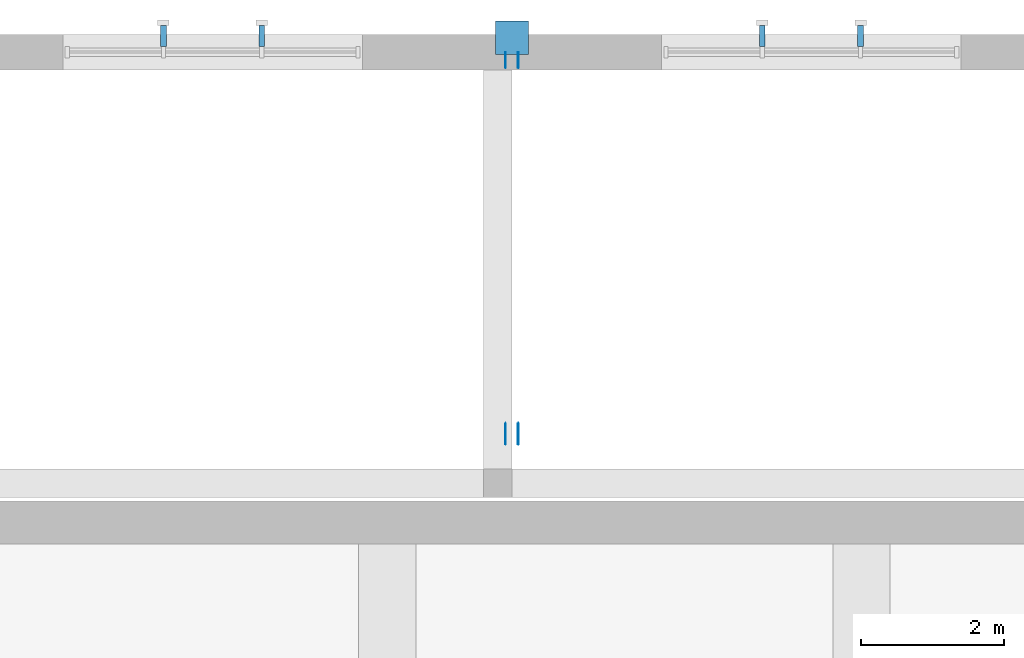
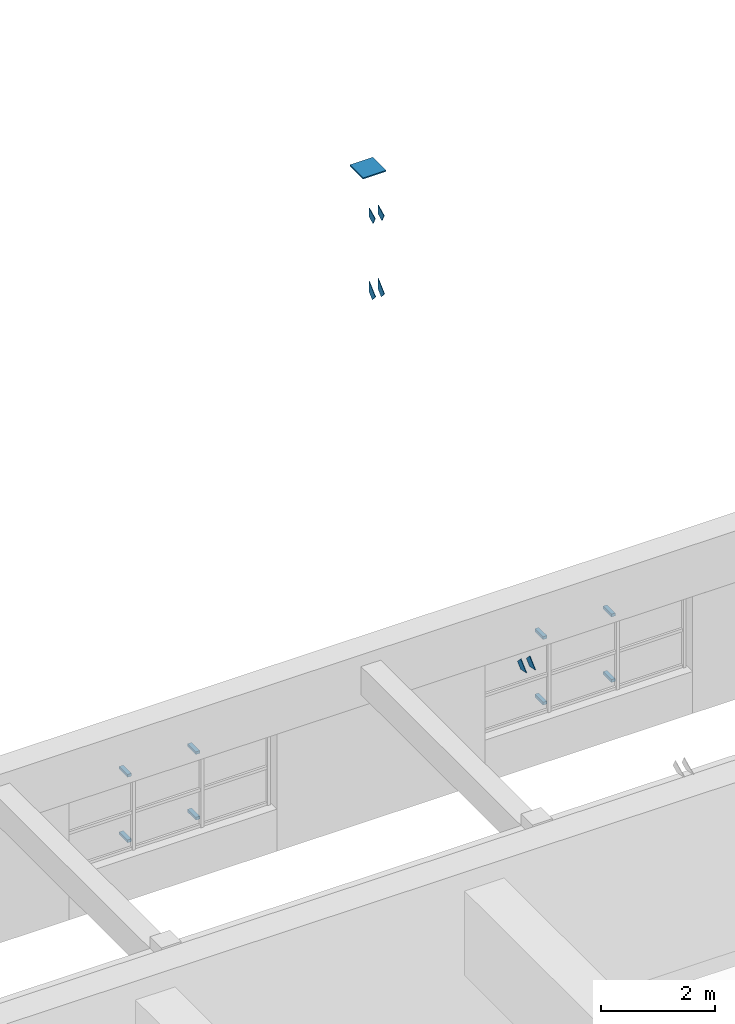
# One storey, part 23 of 28: 15 discrete accessories.
"""IFC4 building model written with IfcOpenShell, lengths in metres."""

from ifc_helpers import new_model, si_unit, direction, frame, origin, origin_2d, place, context, subcontext, project, spatial, polyline, rectangle, outline, extrude, material, layer, layer_set, type_object, element, save


model = new_model("IFC4")

# Units and contexts
model_context = context("Model", 3, precision=1e-05, world=origin(), true_north=direction((0.0, 1.0)))
body_context = subcontext(model_context, "Body", "Model", "MODEL_VIEW")
ifc_project = project(units=[si_unit("LENGTHUNIT", "METRE"), si_unit("AREAUNIT", "SQUARE_METRE"), si_unit("VOLUMEUNIT", "CUBIC_METRE"), si_unit("PLANEANGLEUNIT", "RADIAN"), si_unit("MASSUNIT", "GRAM", prefix="KILO")], contexts=[model_context])

# Site, building, storey
site_placement = place(None, origin())
site = spatial("IfcSite", under=ifc_project, at=site_placement, CompositionType="ELEMENT")
building_placement = place(site_placement, origin())
building = spatial("IfcBuilding", under=site, at=building_placement, Name="Ljudholm Concert House", CompositionType="ELEMENT")
storey_placement = place(building_placement, frame((0.0, 0.0, 19.199951171875)))
storey = spatial("IfcBuildingStorey", under=building, at=storey_placement, Name="L04", CompositionType="ELEMENT", Elevation=19.199951171875)

# Discrete accessories
ifc_material_1 = material(Name="Stainless steel bracket", Category="steel")
discrete_accessory_type_1 = type_object("IfcDiscreteAccessoryType", Name="BRACKET 290", PredefinedType="BRACKET", material=ifc_material_1)
for number, where, z_axis, x_axis, name in (
    (1, (66.31005859375, 96.625, 0.969970703125), (0.0, 0.0, 1.0), (0.0, 1.0, 0.0), "Fin bracket"),
    (2, (66.31005859375, 96.625, 2.3701171875), (0.0, 0.0, 1.0), (0.0, 1.0, 0.0), "Fin bracket"),
    (3, (67.68994140625, 96.625, 0.969970703125), (0.0, 0.0, 1.0), (0.0, 1.0, 0.0), "Fin bracket"),
    (4, (67.68994140625, 96.625, 2.3701171875), (0.0, 0.0, 1.0), (0.0, 1.0, 0.0), "Fin bracket"),
    (5, (74.7099609375, 96.625, 0.969970703125), (0.0, 0.0, 1.0), (0.0, 1.0, 0.0), "Fin bracket"),
    (6, (74.7099609375, 96.625, 2.3701171875), (0.0, 0.0, 1.0), (0.0, 1.0, 0.0), "Fin bracket"),
    (7, (76.090087890625, 96.625, 0.969970703125), (0.0, 0.0, 1.0), (0.0, 1.0, 0.0), "Fin bracket"),
    (8, (76.090087890625, 96.625, 2.3701171875), (0.0, 0.0, 1.0), (0.0, 1.0, 0.0), "Fin bracket"),
):
    element("IfcDiscreteAccessory", number, at=place(storey_placement, frame(where, z_axis=z_axis, x_axis=x_axis)), inside=storey, type_object=discrete_accessory_type_1, Name=name, PredefinedType="BRACKET", context=body_context, shape_type="SweptSolid", body=[
        extrude(rectangle(XDim=0.2900390625, YDim=0.080078125, at=origin_2d()), origin(), (0.0, 0.0, 1.0), 0.06005859375),
    ])
ifc_material_2 = material(Name="Steel ASTM A36 plate", Category="steel")
ifc_layer_1 = layer(ifc_material_2, 0.011962890625)
ifc_layer_set_1 = layer_set([ifc_layer_1], Name="Steel ASTM A36 plate")
discrete_accessory_type_2 = type_object("IfcDiscreteAccessoryType", Name="GUSSET PLATE 12", PredefinedType="BRACKET", material=ifc_layer_set_1)
for number, where, z_axis, x_axis, name in (
    (9, (71.2900390625, 96.340087890625, -19.199951171875), (0.0, 0.0, 1.0), (0.0, -1.0, 0.0), "Gusset plate"),
    (10, (71.10986328125, 96.340087890625, -19.199951171875), (0.0, 0.0, 1.0), (0.0, -1.0, 0.0), "Gusset plate"),
):
    element("IfcDiscreteAccessory", number, at=place(storey_placement, frame(where, z_axis=z_axis, x_axis=x_axis)), inside=storey, type_object=discrete_accessory_type_2, Name=name, PredefinedType="BRACKET", context=body_context, shape_type="SweptSolid", body=[
        extrude(outline(polyline([(0.053955078125, 30.19921875), (-0.056884765625, 30.30029296875), (-0.056884765625, 30.5283203125), (0.16748046875, 30.323486328125), (0.053955078125, 30.19921875)])), frame((0.0, 0.005859375, 0.0), z_axis=(0.0, -1.0, 0.0), x_axis=(1.0, 0.0, 0.0)), (0.0, 0.0, 1.0), 0.011962890625),
    ])
for number, where, z_axis, x_axis, name in (
    (11, (71.2900390625, 96.340087890625, -19.199951171875), (0.0, 0.0, 1.0), (0.0, -1.0, 0.0), "Gusset plate"),
    (12, (71.10986328125, 96.340087890625, -19.199951171875), (0.0, 0.0, 1.0), (0.0, -1.0, 0.0), "Gusset plate"),
):
    element("IfcDiscreteAccessory", number, at=place(storey_placement, frame(where, z_axis=z_axis, x_axis=x_axis)), inside=storey, type_object=discrete_accessory_type_2, Name=name, PredefinedType="BRACKET", context=body_context, shape_type="SweptSolid", body=[
        extrude(outline(polyline([(5.250732421875, 25.67919921875), (5.451904296875, 25.495361328125), (5.247802734375, 25.453857421875), (5.13720703125, 25.554931640625), (5.250732421875, 25.67919921875)])), frame((0.0, 0.005859375, 0.0), z_axis=(0.0, -1.0, 0.0), x_axis=(1.0, 0.0, 0.0)), (0.0, 0.0, 1.0), 0.011962890625),
    ])
for number, where, z_axis, x_axis, name in (
    (13, (71.2900390625, 96.359375, -19.199951171875), (0.0, 0.0, 1.0), (0.0, -1.0, 0.0), "Gusset plate"),
    (14, (71.10986328125, 96.359375, -19.199951171875), (0.0, 0.0, 1.0), (0.0, -1.0, 0.0), "Gusset plate"),
):
    element("IfcDiscreteAccessory", number, at=place(storey_placement, frame(where, z_axis=z_axis, x_axis=x_axis)), inside=storey, type_object=discrete_accessory_type_2, Name=name, PredefinedType="BRACKET", context=body_context, shape_type="SweptSolid", body=[
        extrude(outline(polyline([(0.096923828125, 31.8388671875), (-0.037353515625, 31.905517578125), (-0.037353515625, 32.09326171875), (0.171875, 31.989501953125), (0.096923828125, 31.8388671875)])), frame((0.0, 0.005859375, 0.0), z_axis=(0.0, -1.0, 0.0), x_axis=(1.0, 0.0, 0.0)), (0.0, 0.0, 1.0), 0.011962890625),
    ])
ifc_material_3 = material(Name="Steel ASTM A36 plate", Category="steel")
ifc_layer_2 = layer(ifc_material_3, 0.02490234375)
ifc_layer_set_2 = layer_set([ifc_layer_2], Name="Steel ASTM A36 plate")
discrete_accessory_type_3 = type_object("IfcDiscreteAccessoryType", Name="MAST CAP PLATE 25", PredefinedType="BRACKET", material=ifc_layer_set_2)
discrete_accessory_placement = place(storey_placement, frame((71.199951171875, 96.60009765625, 13.5751953125), z_axis=(0.0, 0.0, 1.0), x_axis=(1.0, 0.0, 0.0)))
element("IfcDiscreteAccessory", 15, at=discrete_accessory_placement, inside=storey, type_object=discrete_accessory_type_3, Name="Mast cap plate", PredefinedType="BRACKET", context=body_context, shape_type="SweptSolid", body=[
    extrude(rectangle(XDim=0.46630859375, YDim=0.46630859375, at=origin_2d()), origin(), (0.0, 0.0, 1.0), 0.02490234375),
])

save(model, "model.ifc")
